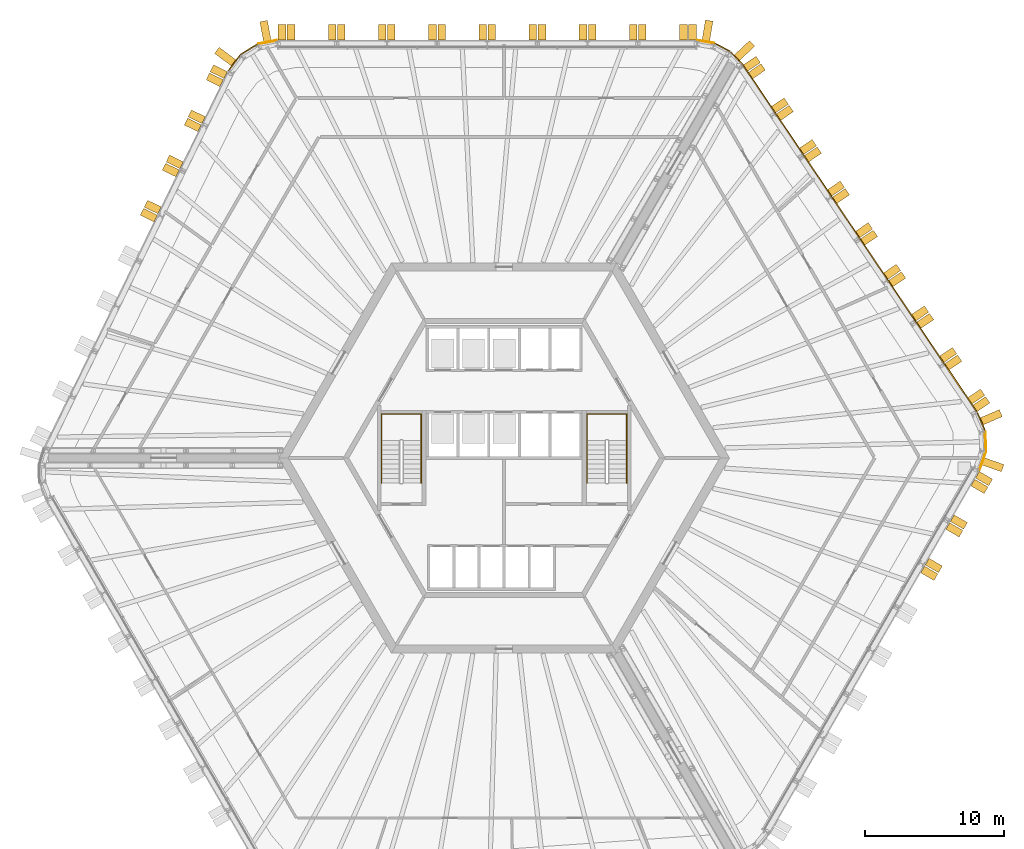
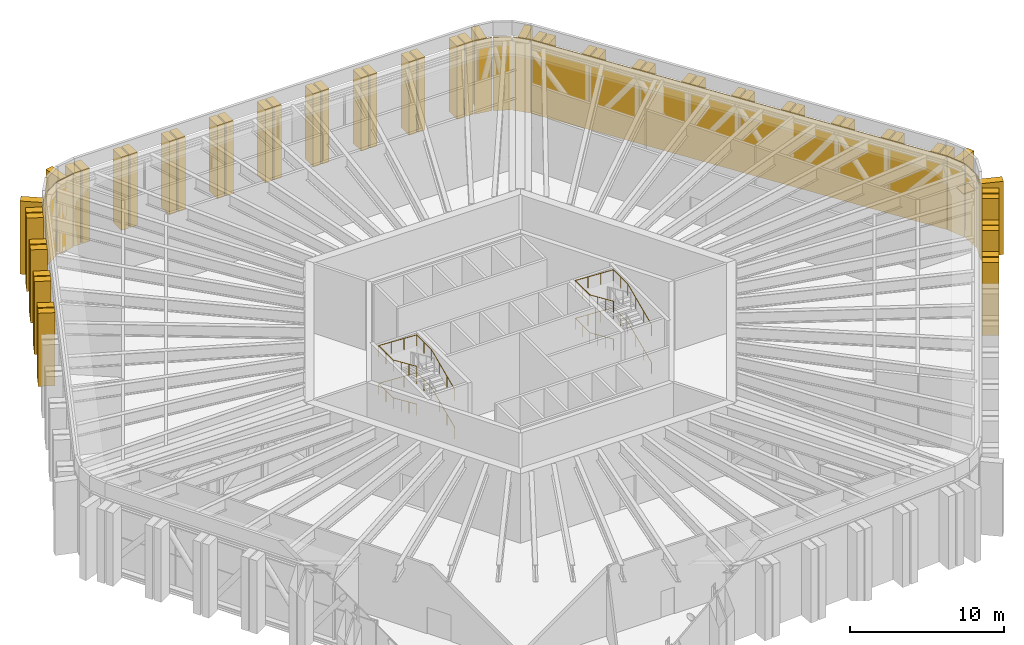
# One storey, part 26 of 27: 66 shading devices, 4 railings.
"""IFC4 building model written with IfcOpenShell, lengths in metres."""

from ifc_helpers import new_model, si_unit, direction, frame, origin, origin_2d, place, context, subcontext, project, spatial, polyline, circle, outline, extrude, material, layer, layer_set, type_object, element, save


model = new_model("IFC4")

# Units and contexts
model_context = context("Model", 3, precision=1e-05, world=origin(), true_north=direction((0.0, 1.0)))
body_context = subcontext(model_context, "Body", "Model", "MODEL_VIEW")
ifc_project = project(units=[si_unit("LENGTHUNIT", "METRE"), si_unit("AREAUNIT", "SQUARE_METRE"), si_unit("VOLUMEUNIT", "CUBIC_METRE"), si_unit("PLANEANGLEUNIT", "RADIAN"), si_unit("MASSUNIT", "GRAM", prefix="KILO")], contexts=[model_context])

# Site, building, storey
site_placement = place(None, origin())
site = spatial("IfcSite", under=ifc_project, at=site_placement, CompositionType="ELEMENT")
building_placement = place(site_placement, origin())
building = spatial("IfcBuilding", under=site, at=building_placement, Name="Tarnside Tower", CompositionType="ELEMENT")
storey_placement = place(building_placement, frame((0.0, 0.0, 146.699951171875)))
storey = spatial("IfcBuildingStorey", under=building, at=storey_placement, Name="L34", CompositionType="ELEMENT", Elevation=146.699951171875)

# Shading devices
ifc_material_1 = material(Name="Aluminium alloy 6063 louvre", Category="aluminium")
shading_device_type_1 = type_object("IfcShadingDeviceType", Name="Louvre panel 69", PredefinedType="USERDEFINED", material=ifc_material_1)
shading_device_1_placement = place(storey_placement, frame((-16.96240234375, 29.800048828125, -0.300048828125), z_axis=(0.982724917858, 0.185072244872, 0.0), x_axis=(-0.185072244872, 0.982724917858, 0.0)))
element("IfcShadingDevice", 1, at=shading_device_1_placement, inside=storey, type_object=shading_device_type_1, Name="Louvre L34 002", ObjectType="LOUVRE", PredefinedType="USERDEFINED", context=body_context, shape_type="SweptSolid", body=[
    extrude(outline(polyline([(0.0, 0.0), (0.06884765625, 0.0), (0.06884765625, 5.800048828125), (0.0, 5.800048828125), (0.0, 0.0)])), frame((0.0, 0.0, -0.689453125)), (0.0, 0.0, 1.0), 1.37890625),
])
shading_device_2_placement = place(storey_placement, frame((-18.295654296875, 29.279296875, -0.300048828125), z_axis=(0.848043112569, 0.529927239557, 0.0), x_axis=(-0.529927239557, 0.848043112569, 0.0)))
element("IfcShadingDevice", 2, at=shading_device_2_placement, inside=storey, type_object=shading_device_type_1, Name="Louvre L34 003", ObjectType="LOUVRE", PredefinedType="USERDEFINED", context=body_context, shape_type="SweptSolid", body=[
    extrude(outline(polyline([(0.0, 0.0), (0.06884765625, 0.0), (0.06884765625, 5.800048828125), (0.0, 5.800048828125), (0.0, 0.0)])), frame((0.0, 0.0, -0.689453125)), (0.0, 0.0, 1.0), 1.379150390625),
])
for number, where, z_axis, x_axis, name in (
    (3, (-19.34814453125, 28.30908203125, -0.300048828125), (0.597130157022, 0.802144360807, 0.0), (-0.802144360807, 0.597130157022, 0.0), "Louvre L34 004"),
    (4, (34.28857421875, -0.210205078125, -0.300048828125), (-0.331048064919, -0.943613892815, 0.0), (0.943613892815, -0.331048064919, 0.0), "Louvre L34 018"),
    (5, (34.50439453125, 1.204833984375, -0.300048828125), (0.034881886919, -0.999391441811, 0.0), (0.999391441811, 0.034881886919, 0.0), "Louvre L34 019"),
    (6, (34.1904296875, 2.6015625, -0.300048828125), (0.396088713785, -0.918212247148, 0.0), (0.918212247148, 0.396088713785, 0.0), "Louvre L34 020"),
):
    element("IfcShadingDevice", number, at=place(storey_placement, frame(where, z_axis=z_axis, x_axis=x_axis)), inside=storey, type_object=shading_device_type_1, Name=name, ObjectType="LOUVRE", PredefinedType="USERDEFINED", context=body_context, shape_type="SweptSolid", body=[
        extrude(outline(polyline([(0.0, 0.0), (0.06884765625, 0.0), (0.06884765625, 5.800048828125), (0.0, 5.800048828125), (0.0, 0.0)])), frame((0.0, 0.0, -0.689453125)), (0.0, 0.0, 1.0), 1.37890625),
    ])
shading_device_3_placement = place(storey_placement, frame((25.4912109375, 15.733154296875, -0.300048828125), z_axis=(0.559192964619, -0.82903753131, 0.0), x_axis=(0.82903753131, 0.559192964619, 0.0)))
element("IfcShadingDevice", 7, at=shading_device_3_placement, inside=storey, type_object=shading_device_type_1, Name="Louvre L34 021", ObjectType="LOUVRE", PredefinedType="USERDEFINED", context=body_context, shape_type="SweptSolid", body=[
    extrude(outline(polyline([(0.0, 0.0), (0.06884765625, 0.0), (0.06884765625, 5.800048828125), (0.0, 5.800048828125), (0.0, 0.0)])), frame((0.0, 0.0, -15.03564453125)), (0.0, 0.0, 1.0), 30.071044921875),
])
for number, where, z_axis, x_axis, name in (
    (8, (16.64794921875, 28.663818359375, -0.300048828125), (0.686239431307, -0.727375723351, 0.0), (0.727375723351, 0.686239431307, 0.0), "Louvre L34 022"),
    (9, (15.64697265625, 29.427490234375, -0.300048828125), (0.88292276073, -0.469518262248, 0.0), (0.469518262248, 0.88292276073, 0.0), "Louvre L34 023"),
    (10, (14.453857421875, 29.830322265625, -0.300048828125), (0.986769336425, -0.162130431111, 0.0), (0.162130431111, 0.986769336425, 0.0), "Louvre L34 024"),
):
    element("IfcShadingDevice", number, at=place(storey_placement, frame(where, z_axis=z_axis, x_axis=x_axis)), inside=storey, type_object=shading_device_type_1, Name=name, ObjectType="LOUVRE", PredefinedType="USERDEFINED", context=body_context, shape_type="SweptSolid", body=[
        extrude(outline(polyline([(0.0, 0.0), (0.06884765625, 0.0), (0.06884765625, 5.800048828125), (0.0, 5.800048828125), (0.0, 0.0)])), frame((0.0, 0.0, -0.60400390625)), (0.0, 0.0, 1.0), 1.208251953125),
    ])
ifc_material_2 = material(Name="Concrete C50/60 white precast", Category="concrete")
ifc_layer_1 = layer(ifc_material_2, 0.550048828125)
ifc_layer_set_1 = layer_set([ifc_layer_1], Name="Precast fin 550 x 1100")
shading_device_type_2 = type_object("IfcShadingDeviceType", Name="Precast fin 550 x 1100", PredefinedType="USERDEFINED", material=ifc_layer_set_1)
for number, where, z_axis, x_axis, name in (
    (11, (13.513916015625, 30.0, -0.300048828125), (1.0, 0.0, 0.0), (0.0, 1.0, 0.0), "Precast fin"),
    (12, (12.864013671875, 30.0, -0.300048828125), (1.0, 0.0, 0.0), (0.0, 1.0, 0.0), "Precast fin"),
    (13, (9.9140625, 30.0, -0.300048828125), (1.0, 0.0, 0.0), (0.0, 1.0, 0.0), "Precast fin"),
    (14, (9.263916015625, 30.0, -0.300048828125), (1.0, 0.0, 0.0), (0.0, 1.0, 0.0), "Precast fin"),
    (15, (6.31396484375, 30.0, -0.300048828125), (1.0, 0.0, 0.0), (0.0, 1.0, 0.0), "Precast fin"),
    (16, (5.6640625, 30.0, -0.300048828125), (1.0, 0.0, 0.0), (0.0, 1.0, 0.0), "Precast fin"),
    (17, (2.7138671875, 30.0, -0.300048828125), (1.0, 0.0, 0.0), (0.0, 1.0, 0.0), "Precast fin"),
    (18, (2.06396484375, 30.0, -0.300048828125), (1.0, 0.0, 0.0), (0.0, 1.0, 0.0), "Precast fin"),
    (19, (-0.885986328125, 30.0, -0.300048828125), (1.0, 0.0, 0.0), (0.0, 1.0, 0.0), "Precast fin"),
    (20, (-1.5361328125, 30.0, -0.300048828125), (1.0, 0.0, 0.0), (0.0, 1.0, 0.0), "Precast fin"),
    (21, (-4.486083984375, 30.0, -0.300048828125), (1.0, 0.0, 0.0), (0.0, 1.0, 0.0), "Precast fin"),
    (22, (-5.135986328125, 30.0, -0.300048828125), (1.0, 0.0, 0.0), (0.0, 1.0, 0.0), "Precast fin"),
    (23, (-8.0859375, 30.0, -0.300048828125), (1.0, 0.0, 0.0), (0.0, 1.0, 0.0), "Precast fin"),
    (24, (-8.736083984375, 30.0, -0.300048828125), (1.0, 0.0, 0.0), (0.0, 1.0, 0.0), "Precast fin"),
    (25, (-11.68603515625, 30.0, -0.300048828125), (1.0, 0.0, 0.0), (0.0, 1.0, 0.0), "Precast fin"),
    (26, (-12.3359375, 30.0, -0.300048828125), (1.0, 0.0, 0.0), (0.0, 1.0, 0.0), "Precast fin"),
    (27, (-15.2861328125, 30.0, -0.300048828125), (1.0, 0.0, 0.0), (0.0, 1.0, 0.0), "Precast fin"),
    (28, (-15.93603515625, 30.0, -0.300048828125), (1.0, 0.0, 0.0), (0.0, 1.0, 0.0), "Precast fin"),
    (29, (-19.977783203125, 27.474365234375, -0.300048828125), (0.438371146789, 0.898794046299, 0.0), (-0.898794046299, 0.438371146789, 0.0), "Precast fin"),
    (30, (-20.262939453125, 26.89013671875, -0.300048828125), (0.438371146789, 0.898794046299, 0.0), (-0.898794046299, 0.438371146789, 0.0), "Precast fin"),
    (31, (-21.555908203125, 24.23876953125, -0.300048828125), (0.438371146789, 0.898794046299, 0.0), (-0.898794046299, 0.438371146789, 0.0), "Precast fin"),
    (32, (-21.841064453125, 23.654541015625, -0.300048828125), (0.438371146789, 0.898794046299, 0.0), (-0.898794046299, 0.438371146789, 0.0), "Precast fin"),
    (33, (-23.13427734375, 21.003173828125, -0.300048828125), (0.438371146789, 0.898794046299, 0.0), (-0.898794046299, 0.438371146789, 0.0), "Precast fin"),
    (34, (-23.419189453125, 20.4189453125, -0.300048828125), (0.438371146789, 0.898794046299, 0.0), (-0.898794046299, 0.438371146789, 0.0), "Precast fin"),
    (35, (-24.71240234375, 17.767333984375, -0.300048828125), (0.438371146789, 0.898794046299, 0.0), (-0.898794046299, 0.438371146789, 0.0), "Precast fin"),
    (36, (-24.997314453125, 17.18310546875, -0.300048828125), (0.438371146789, 0.898794046299, 0.0), (-0.898794046299, 0.438371146789, 0.0), "Precast fin"),
    (37, (30.023681640625, -7.997314453125, -0.300048828125), (-0.5, -0.866025403784, 0.0), (0.866025403784, -0.5, 0.0), "Precast fin"),
    (38, (30.348876953125, -7.434326171875, -0.300048828125), (-0.5, -0.866025403784, 0.0), (0.866025403784, -0.5, 0.0), "Precast fin"),
    (39, (31.82373046875, -4.879638671875, -0.300048828125), (-0.5, -0.866025403784, 0.0), (0.866025403784, -0.5, 0.0), "Precast fin"),
    (40, (32.148681640625, -4.316650390625, -0.300048828125), (-0.5, -0.866025403784, 0.0), (0.866025403784, -0.5, 0.0), "Precast fin"),
    (41, (33.623779296875, -1.761962890625, -0.300048828125), (-0.5, -0.866025403784, 0.0), (0.866025403784, -0.5, 0.0), "Precast fin"),
    (42, (33.94873046875, -1.198974609375, -0.300048828125), (-0.5, -0.866025403784, 0.0), (0.866025403784, -0.5, 0.0), "Precast fin"),
    (43, (33.782470703125, 3.564208984375, -0.300048828125), (0.559192903471, -0.829037572555, 0.0), (0.829037572555, 0.559192903471, 0.0), "Precast fin"),
    (44, (33.4189453125, 4.10302734375, -0.300048828125), (0.559192903471, -0.829037572555, 0.0), (0.829037572555, 0.559192903471, 0.0), "Precast fin"),
    (45, (31.769287109375, 6.548583984375, -0.300048828125), (0.559192903471, -0.829037572555, 0.0), (0.829037572555, 0.559192903471, 0.0), "Precast fin"),
    (46, (31.406005859375, 7.087646484375, -0.300048828125), (0.559192903471, -0.829037572555, 0.0), (0.829037572555, 0.559192903471, 0.0), "Precast fin"),
    (47, (29.75634765625, 9.533203125, -0.300048828125), (0.559192903471, -0.829037572555, 0.0), (0.829037572555, 0.559192903471, 0.0), "Precast fin"),
    (48, (29.392822265625, 10.072021484375, -0.300048828125), (0.559192903471, -0.829037572555, 0.0), (0.829037572555, 0.559192903471, 0.0), "Precast fin"),
    (49, (27.7431640625, 12.517822265625, -0.300048828125), (0.559192903471, -0.829037572555, 0.0), (0.829037572555, 0.559192903471, 0.0), "Precast fin"),
    (50, (27.379638671875, 13.056640625, -0.300048828125), (0.559192903471, -0.829037572555, 0.0), (0.829037572555, 0.559192903471, 0.0), "Precast fin"),
    (51, (25.730224609375, 15.502197265625, -0.300048828125), (0.559192903471, -0.829037572555, 0.0), (0.829037572555, 0.559192903471, 0.0), "Precast fin"),
    (52, (25.36669921875, 16.041259765625, -0.300048828125), (0.559192903471, -0.829037572555, 0.0), (0.829037572555, 0.559192903471, 0.0), "Precast fin"),
    (53, (23.717041015625, 18.48681640625, -0.300048828125), (0.559192903471, -0.829037572555, 0.0), (0.829037572555, 0.559192903471, 0.0), "Precast fin"),
    (54, (23.353515625, 19.025634765625, -0.300048828125), (0.559192903471, -0.829037572555, 0.0), (0.829037572555, 0.559192903471, 0.0), "Precast fin"),
    (55, (21.703857421875, 21.471435546875, -0.300048828125), (0.559192903471, -0.829037572555, 0.0), (0.829037572555, 0.559192903471, 0.0), "Precast fin"),
    (56, (21.34033203125, 22.01025390625, -0.300048828125), (0.559192903471, -0.829037572555, 0.0), (0.829037572555, 0.559192903471, 0.0), "Precast fin"),
    (57, (19.69091796875, 24.455810546875, -0.300048828125), (0.559192903471, -0.829037572555, 0.0), (0.829037572555, 0.559192903471, 0.0), "Precast fin"),
    (58, (19.327392578125, 24.994873046875, -0.300048828125), (0.559192903471, -0.829037572555, 0.0), (0.829037572555, 0.559192903471, 0.0), "Precast fin"),
    (59, (17.677734375, 27.4404296875, -0.300048828125), (0.559192903471, -0.829037572555, 0.0), (0.829037572555, 0.559192903471, 0.0), "Precast fin"),
    (60, (17.314208984375, 27.979248046875, -0.300048828125), (0.559192903471, -0.829037572555, 0.0), (0.829037572555, 0.559192903471, 0.0), "Precast fin"),
):
    element("IfcShadingDevice", number, at=place(storey_placement, frame(where, z_axis=z_axis, x_axis=x_axis)), inside=storey, type_object=shading_device_type_2, Name=name, ObjectType="FIN", PredefinedType="USERDEFINED", context=body_context, shape_type="SweptSolid", body=[
        extrude(outline(polyline([(0.0, 0.0), (1.10009765625, 0.0), (1.10009765625, 5.800048828125), (0.0, 5.800048828125), (0.0, 0.0)])), frame((0.0, 0.0, -0.27490234375)), (0.0, 0.0, 1.0), 0.550048828125),
    ])
ifc_layer_2 = layer(ifc_material_2, 0.550048828125)
ifc_layer_set_2 = layer_set([ifc_layer_2], Name="Precast fin 550 x 1500")
shading_device_type_3 = type_object("IfcShadingDeviceType", Name="Precast fin 550 x 1500", PredefinedType="USERDEFINED", material=ifc_layer_set_2)
for number, where, z_axis, x_axis, name in (
    (61, (-16.97509765625, 29.86767578125, -0.300048828125), (0.982720646705, 0.18509492305, 0.0), (-0.18509492305, 0.982720646705, 0.0), "Precast fin"),
    (62, (-19.403564453125, 28.35009765625, -0.300048828125), (0.597158591707, 0.802123192752, 0.0), (-0.802123192752, 0.597158591707, 0.0), "Precast fin"),
    (63, (34.353759765625, -0.23291015625, -0.300048828125), (-0.331063417879, -0.943608506396, 0.0), (0.943608506396, -0.331063417879, 0.0), "Precast fin"),
    (64, (34.253662109375, 2.62890625, -0.300048828125), (0.396079766034, -0.918216106883, 0.0), (0.918216106883, 0.396079766034, 0.0), "Precast fin"),
    (65, (16.697998046875, 28.711181640625, -0.300048828125), (0.686241637865, -0.727373641577, 0.0), (0.727373641577, 0.686241637865, 0.0), "Precast fin"),
    (66, (14.465087890625, 29.8984375, -0.300048828125), (0.986761532114, -0.1621779231, 0.0), (0.1621779231, 0.986761532114, 0.0), "Precast fin"),
):
    element("IfcShadingDevice", number, at=place(storey_placement, frame(where, z_axis=z_axis, x_axis=x_axis)), inside=storey, type_object=shading_device_type_3, Name=name, ObjectType="FIN", PredefinedType="USERDEFINED", context=body_context, shape_type="SweptSolid", body=[
        extrude(outline(polyline([(0.0, 0.0), (1.5, 0.0), (1.5, 5.800048828125), (0.0, 5.800048828125), (0.0, 0.0)])), frame((0.0, 0.0, -0.27490234375)), (0.0, 0.0, 1.0), 0.550048828125),
    ])

# Railings
ifc_material_3 = material(Name="Stainless steel", Category="steel")
railing_type = type_object("IfcRailingType", Name="Stair handrail 900", PredefinedType="HANDRAIL", material=ifc_material_3)
railing_1_placement = place(storey_placement, frame((8.800048828125, -1.800048828125, 0.150146484375)))
element("IfcRailing", 67, at=railing_1_placement, inside=storey, type_object=railing_type, Name="L34 ST1 stair handrail 1", PredefinedType="HANDRAIL", context=body_context, shape_type="SweptSolid", body=[
    extrude(circle(Radius=0.02392578125, at=origin_2d()), frame((0.0, 0.0, 0.8857421875), z_axis=(0.0, 0.914936829305, 0.403597074296), x_axis=(-1.0, 0.0, 0.0)), (0.0, 0.0, 1.0), 3.344482421875),
    extrude(circle(Radius=0.02392578125, at=origin_2d()), frame((0.0, 3.06005859375, 2.23583984375), z_axis=(0.0, 1.0, 0.0), x_axis=(-1.0, 0.0, 0.0)), (0.0, 0.0, 1.0), 1.889892578125),
    extrude(circle(Radius=0.02392578125, at=origin_2d()), frame((0.0, 4.949951171875, 2.23583984375), z_axis=(-0.998615228774, 0.0, 0.052608220464), x_axis=(0.0, -1.0, 0.0)), (0.0, 0.0, 1.0), 2.85400390625),
    extrude(circle(Radius=0.02392578125, at=origin_2d()), frame((-2.85009765625, 4.949951171875, 2.3857421875), z_axis=(0.0, -1.0, 0.0), x_axis=(1.0, 0.0, 0.0)), (0.0, 0.0, 1.0), 1.889892578125),
    extrude(circle(Radius=0.02392578125, at=origin_2d()), frame((-2.85009765625, 3.06005859375, 2.3857421875), z_axis=(0.0, -0.914936829305, 0.403597074296), x_axis=(1.0, 0.0, 0.0)), (0.0, 0.0, 1.0), 3.344482421875),
    extrude(circle(Radius=0.02099609375, at=origin_2d()), origin(), (0.0, 0.0, 1.0), 0.86181640625),
    extrude(circle(Radius=0.02099609375, at=origin_2d()), frame((0.0, 1.02001953125, 0.449951171875)), (0.0, 0.0, 1.0), 0.86181640625),
    extrude(circle(Radius=0.02099609375, at=origin_2d()), frame((0.0, 2.0400390625, 0.89990234375)), (0.0, 0.0, 1.0), 0.86181640625),
    extrude(circle(Radius=0.02099609375, at=origin_2d()), frame((0.0, 3.06005859375, 1.349853515625)), (0.0, 0.0, 1.0), 0.86181640625),
    extrude(circle(Radius=0.02099609375, at=origin_2d()), frame((0.0, 4.0048828125, 1.349853515625)), (0.0, 0.0, 1.0), 0.86181640625),
    extrude(circle(Radius=0.02099609375, at=origin_2d()), frame((0.0, 4.949951171875, 1.349853515625)), (0.0, 0.0, 1.0), 0.86181640625),
    extrude(circle(Radius=0.02099609375, at=origin_2d()), frame((-0.949951171875, 4.949951171875, 1.39990234375)), (0.0, 0.0, 1.0), 0.86181640625),
    extrude(circle(Radius=0.02099609375, at=origin_2d()), frame((-1.900146484375, 4.949951171875, 1.449951171875)), (0.0, 0.0, 1.0), 0.86181640625),
    extrude(circle(Radius=0.02099609375, at=origin_2d()), frame((-2.85009765625, 4.949951171875, 1.5)), (0.0, 0.0, 1.0), 0.86181640625),
    extrude(circle(Radius=0.02099609375, at=origin_2d()), frame((-2.85009765625, 4.0048828125, 1.5)), (0.0, 0.0, 1.0), 0.86181640625),
    extrude(circle(Radius=0.02099609375, at=origin_2d()), frame((-2.85009765625, 3.06005859375, 1.5)), (0.0, 0.0, 1.0), 0.86181640625),
    extrude(circle(Radius=0.02099609375, at=origin_2d()), frame((-2.85009765625, 2.0400390625, 1.949951171875)), (0.0, 0.0, 1.0), 0.86181640625),
    extrude(circle(Radius=0.02099609375, at=origin_2d()), frame((-2.85009765625, 1.02001953125, 2.39990234375)), (0.0, 0.0, 1.0), 0.86181640625),
    extrude(circle(Radius=0.02099609375, at=origin_2d()), frame((-2.85009765625, 0.0, 2.849853515625)), (0.0, 0.0, 1.0), 0.86181640625),
])
railing_2_placement = place(storey_placement, frame((8.800048828125, -1.800048828125, 3.150146484375)))
element("IfcRailing", 68, at=railing_2_placement, inside=storey, type_object=railing_type, Name="L34 ST1 stair handrail 2", PredefinedType="HANDRAIL", context=body_context, shape_type="SweptSolid", body=[
    extrude(circle(Radius=0.02392578125, at=origin_2d()), frame((0.0, 0.0, 0.8857421875), z_axis=(0.0, 0.914936829305, 0.403597074296), x_axis=(-1.0, 0.0, 0.0)), (0.0, 0.0, 1.0), 3.344482421875),
    extrude(circle(Radius=0.02392578125, at=origin_2d()), frame((0.0, 3.06005859375, 2.23583984375), z_axis=(0.0, 1.0, 0.0), x_axis=(-1.0, 0.0, 0.0)), (0.0, 0.0, 1.0), 1.889892578125),
    extrude(circle(Radius=0.02392578125, at=origin_2d()), frame((0.0, 4.949951171875, 2.23583984375), z_axis=(-0.998615228774, 0.0, 0.052608220464), x_axis=(0.0, -1.0, 0.0)), (0.0, 0.0, 1.0), 2.85400390625),
    extrude(circle(Radius=0.02392578125, at=origin_2d()), frame((-2.85009765625, 4.949951171875, 2.3857421875), z_axis=(0.0, -1.0, 0.0), x_axis=(1.0, 0.0, 0.0)), (0.0, 0.0, 1.0), 1.889892578125),
    extrude(circle(Radius=0.02392578125, at=origin_2d()), frame((-2.85009765625, 3.06005859375, 2.3857421875), z_axis=(0.0, -0.914936829305, 0.403597074296), x_axis=(1.0, 0.0, 0.0)), (0.0, 0.0, 1.0), 3.344482421875),
    extrude(circle(Radius=0.02099609375, at=origin_2d()), origin(), (0.0, 0.0, 1.0), 0.86181640625),
    extrude(circle(Radius=0.02099609375, at=origin_2d()), frame((0.0, 1.02001953125, 0.449951171875)), (0.0, 0.0, 1.0), 0.86181640625),
    extrude(circle(Radius=0.02099609375, at=origin_2d()), frame((0.0, 2.0400390625, 0.89990234375)), (0.0, 0.0, 1.0), 0.86181640625),
    extrude(circle(Radius=0.02099609375, at=origin_2d()), frame((0.0, 3.06005859375, 1.349853515625)), (0.0, 0.0, 1.0), 0.86181640625),
    extrude(circle(Radius=0.02099609375, at=origin_2d()), frame((0.0, 4.0048828125, 1.349853515625)), (0.0, 0.0, 1.0), 0.86181640625),
    extrude(circle(Radius=0.02099609375, at=origin_2d()), frame((0.0, 4.949951171875, 1.349853515625)), (0.0, 0.0, 1.0), 0.86181640625),
    extrude(circle(Radius=0.02099609375, at=origin_2d()), frame((-0.949951171875, 4.949951171875, 1.39990234375)), (0.0, 0.0, 1.0), 0.86181640625),
    extrude(circle(Radius=0.02099609375, at=origin_2d()), frame((-1.900146484375, 4.949951171875, 1.449951171875)), (0.0, 0.0, 1.0), 0.86181640625),
    extrude(circle(Radius=0.02099609375, at=origin_2d()), frame((-2.85009765625, 4.949951171875, 1.5)), (0.0, 0.0, 1.0), 0.86181640625),
    extrude(circle(Radius=0.02099609375, at=origin_2d()), frame((-2.85009765625, 4.0048828125, 1.5)), (0.0, 0.0, 1.0), 0.86181640625),
    extrude(circle(Radius=0.02099609375, at=origin_2d()), frame((-2.85009765625, 3.06005859375, 1.5)), (0.0, 0.0, 1.0), 0.86181640625),
    extrude(circle(Radius=0.02099609375, at=origin_2d()), frame((-2.85009765625, 2.0400390625, 1.949951171875)), (0.0, 0.0, 1.0), 0.86181640625),
    extrude(circle(Radius=0.02099609375, at=origin_2d()), frame((-2.85009765625, 1.02001953125, 2.39990234375)), (0.0, 0.0, 1.0), 0.86181640625),
    extrude(circle(Radius=0.02099609375, at=origin_2d()), frame((-2.85009765625, 0.0, 2.849853515625)), (0.0, 0.0, 1.0), 0.86181640625),
])
railing_3_placement = place(storey_placement, frame((-5.949951171875, -1.800048828125, 0.150146484375)))
element("IfcRailing", 69, at=railing_3_placement, inside=storey, type_object=railing_type, Name="L34 ST2 stair handrail 1", PredefinedType="HANDRAIL", context=body_context, shape_type="SweptSolid", body=[
    extrude(circle(Radius=0.02392578125, at=origin_2d()), frame((0.0, 0.0, 0.8857421875), z_axis=(0.0, 0.914936829305, 0.403597074296), x_axis=(-1.0, 0.0, 0.0)), (0.0, 0.0, 1.0), 3.344482421875),
    extrude(circle(Radius=0.02392578125, at=origin_2d()), frame((0.0, 3.06005859375, 2.23583984375), z_axis=(0.0, 1.0, 0.0), x_axis=(-1.0, 0.0, 0.0)), (0.0, 0.0, 1.0), 1.889892578125),
    extrude(circle(Radius=0.02392578125, at=origin_2d()), frame((0.0, 4.949951171875, 2.23583984375), z_axis=(-0.998615228774, 0.0, 0.052608220464), x_axis=(0.0, -1.0, 0.0)), (0.0, 0.0, 1.0), 2.85400390625),
    extrude(circle(Radius=0.02392578125, at=origin_2d()), frame((-2.85009765625, 4.949951171875, 2.3857421875), z_axis=(0.0, -1.0, 0.0), x_axis=(1.0, 0.0, 0.0)), (0.0, 0.0, 1.0), 1.889892578125),
    extrude(circle(Radius=0.02392578125, at=origin_2d()), frame((-2.85009765625, 3.06005859375, 2.3857421875), z_axis=(0.0, -0.914936829305, 0.403597074296), x_axis=(1.0, 0.0, 0.0)), (0.0, 0.0, 1.0), 3.344482421875),
    extrude(circle(Radius=0.02099609375, at=origin_2d()), origin(), (0.0, 0.0, 1.0), 0.86181640625),
    extrude(circle(Radius=0.02099609375, at=origin_2d()), frame((0.0, 1.02001953125, 0.449951171875)), (0.0, 0.0, 1.0), 0.86181640625),
    extrude(circle(Radius=0.02099609375, at=origin_2d()), frame((0.0, 2.0400390625, 0.89990234375)), (0.0, 0.0, 1.0), 0.86181640625),
    extrude(circle(Radius=0.02099609375, at=origin_2d()), frame((0.0, 3.06005859375, 1.349853515625)), (0.0, 0.0, 1.0), 0.86181640625),
    extrude(circle(Radius=0.02099609375, at=origin_2d()), frame((0.0, 4.0048828125, 1.349853515625)), (0.0, 0.0, 1.0), 0.86181640625),
    extrude(circle(Radius=0.02099609375, at=origin_2d()), frame((0.0, 4.949951171875, 1.349853515625)), (0.0, 0.0, 1.0), 0.86181640625),
    extrude(circle(Radius=0.02099609375, at=origin_2d()), frame((-0.949951171875, 4.949951171875, 1.39990234375)), (0.0, 0.0, 1.0), 0.86181640625),
    extrude(circle(Radius=0.02099609375, at=origin_2d()), frame((-1.900146484375, 4.949951171875, 1.449951171875)), (0.0, 0.0, 1.0), 0.86181640625),
    extrude(circle(Radius=0.02099609375, at=origin_2d()), frame((-2.85009765625, 4.949951171875, 1.5)), (0.0, 0.0, 1.0), 0.86181640625),
    extrude(circle(Radius=0.02099609375, at=origin_2d()), frame((-2.85009765625, 4.0048828125, 1.5)), (0.0, 0.0, 1.0), 0.86181640625),
    extrude(circle(Radius=0.02099609375, at=origin_2d()), frame((-2.85009765625, 3.06005859375, 1.5)), (0.0, 0.0, 1.0), 0.86181640625),
    extrude(circle(Radius=0.02099609375, at=origin_2d()), frame((-2.85009765625, 2.0400390625, 1.949951171875)), (0.0, 0.0, 1.0), 0.86181640625),
    extrude(circle(Radius=0.02099609375, at=origin_2d()), frame((-2.85009765625, 1.02001953125, 2.39990234375)), (0.0, 0.0, 1.0), 0.86181640625),
    extrude(circle(Radius=0.02099609375, at=origin_2d()), frame((-2.85009765625, 0.0, 2.849853515625)), (0.0, 0.0, 1.0), 0.86181640625),
])
railing_4_placement = place(storey_placement, frame((-5.949951171875, -1.800048828125, 3.150146484375)))
element("IfcRailing", 70, at=railing_4_placement, inside=storey, type_object=railing_type, Name="L34 ST2 stair handrail 2", PredefinedType="HANDRAIL", context=body_context, shape_type="SweptSolid", body=[
    extrude(circle(Radius=0.02392578125, at=origin_2d()), frame((0.0, 0.0, 0.8857421875), z_axis=(0.0, 0.914936829305, 0.403597074296), x_axis=(-1.0, 0.0, 0.0)), (0.0, 0.0, 1.0), 3.344482421875),
    extrude(circle(Radius=0.02392578125, at=origin_2d()), frame((0.0, 3.06005859375, 2.23583984375), z_axis=(0.0, 1.0, 0.0), x_axis=(-1.0, 0.0, 0.0)), (0.0, 0.0, 1.0), 1.889892578125),
    extrude(circle(Radius=0.02392578125, at=origin_2d()), frame((0.0, 4.949951171875, 2.23583984375), z_axis=(-0.998615228774, 0.0, 0.052608220464), x_axis=(0.0, -1.0, 0.0)), (0.0, 0.0, 1.0), 2.85400390625),
    extrude(circle(Radius=0.02392578125, at=origin_2d()), frame((-2.85009765625, 4.949951171875, 2.3857421875), z_axis=(0.0, -1.0, 0.0), x_axis=(1.0, 0.0, 0.0)), (0.0, 0.0, 1.0), 1.889892578125),
    extrude(circle(Radius=0.02392578125, at=origin_2d()), frame((-2.85009765625, 3.06005859375, 2.3857421875), z_axis=(0.0, -0.914936829305, 0.403597074296), x_axis=(1.0, 0.0, 0.0)), (0.0, 0.0, 1.0), 3.344482421875),
    extrude(circle(Radius=0.02099609375, at=origin_2d()), origin(), (0.0, 0.0, 1.0), 0.86181640625),
    extrude(circle(Radius=0.02099609375, at=origin_2d()), frame((0.0, 1.02001953125, 0.449951171875)), (0.0, 0.0, 1.0), 0.86181640625),
    extrude(circle(Radius=0.02099609375, at=origin_2d()), frame((0.0, 2.0400390625, 0.89990234375)), (0.0, 0.0, 1.0), 0.86181640625),
    extrude(circle(Radius=0.02099609375, at=origin_2d()), frame((0.0, 3.06005859375, 1.349853515625)), (0.0, 0.0, 1.0), 0.86181640625),
    extrude(circle(Radius=0.02099609375, at=origin_2d()), frame((0.0, 4.0048828125, 1.349853515625)), (0.0, 0.0, 1.0), 0.86181640625),
    extrude(circle(Radius=0.02099609375, at=origin_2d()), frame((0.0, 4.949951171875, 1.349853515625)), (0.0, 0.0, 1.0), 0.86181640625),
    extrude(circle(Radius=0.02099609375, at=origin_2d()), frame((-0.949951171875, 4.949951171875, 1.39990234375)), (0.0, 0.0, 1.0), 0.86181640625),
    extrude(circle(Radius=0.02099609375, at=origin_2d()), frame((-1.900146484375, 4.949951171875, 1.449951171875)), (0.0, 0.0, 1.0), 0.86181640625),
    extrude(circle(Radius=0.02099609375, at=origin_2d()), frame((-2.85009765625, 4.949951171875, 1.5)), (0.0, 0.0, 1.0), 0.86181640625),
    extrude(circle(Radius=0.02099609375, at=origin_2d()), frame((-2.85009765625, 4.0048828125, 1.5)), (0.0, 0.0, 1.0), 0.86181640625),
    extrude(circle(Radius=0.02099609375, at=origin_2d()), frame((-2.85009765625, 3.06005859375, 1.5)), (0.0, 0.0, 1.0), 0.86181640625),
    extrude(circle(Radius=0.02099609375, at=origin_2d()), frame((-2.85009765625, 2.0400390625, 1.949951171875)), (0.0, 0.0, 1.0), 0.86181640625),
    extrude(circle(Radius=0.02099609375, at=origin_2d()), frame((-2.85009765625, 1.02001953125, 2.39990234375)), (0.0, 0.0, 1.0), 0.86181640625),
    extrude(circle(Radius=0.02099609375, at=origin_2d()), frame((-2.85009765625, 0.0, 2.849853515625)), (0.0, 0.0, 1.0), 0.86181640625),
])

save(model, "model.ifc")
